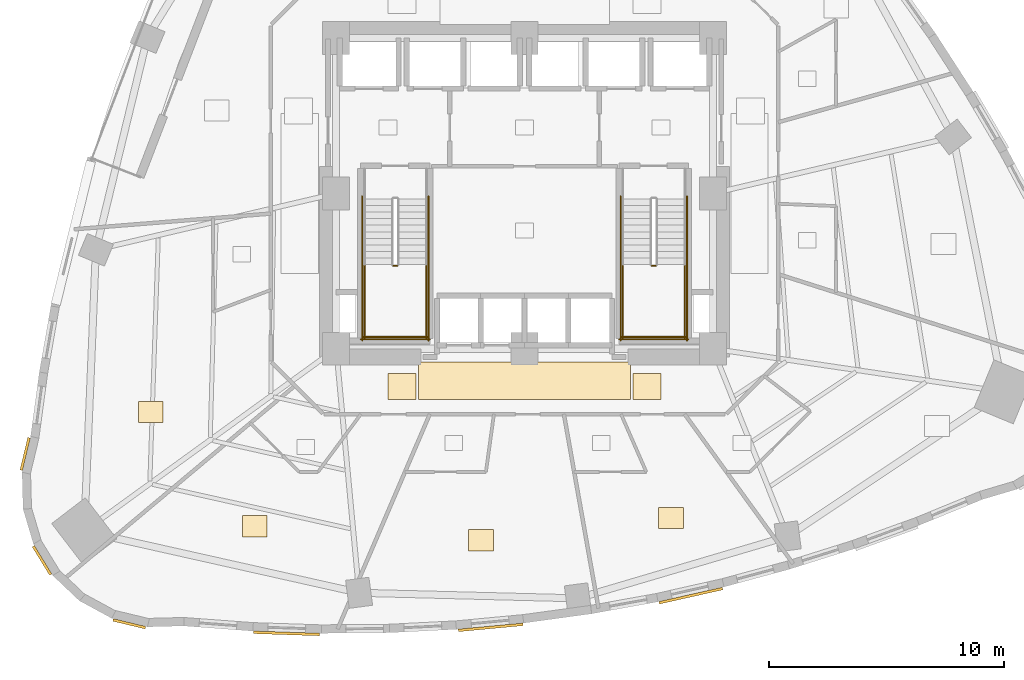
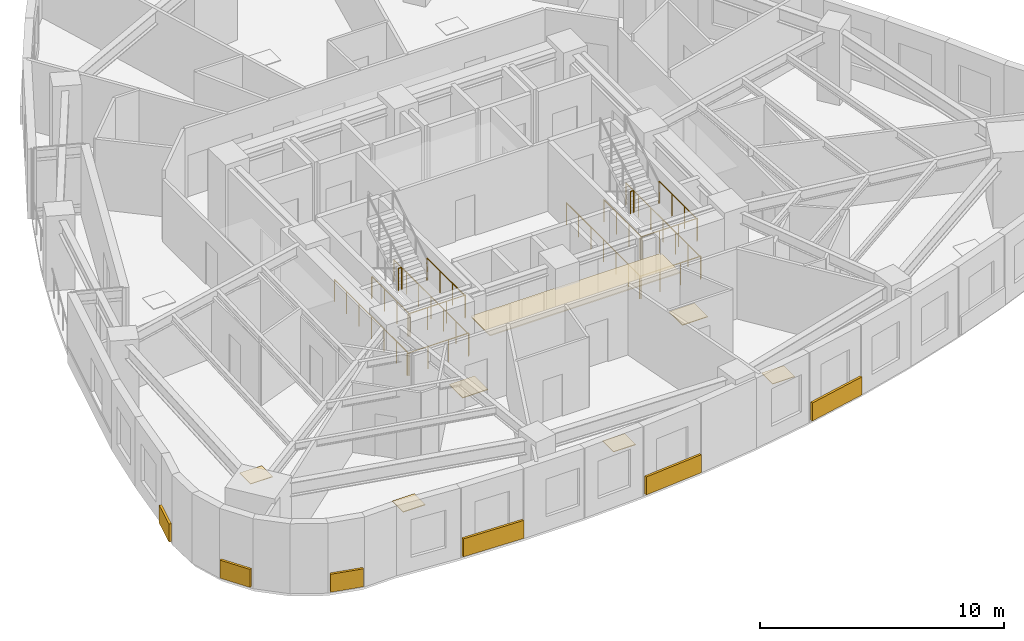
# One storey, part 10 of 12: 14 railings, 13 coverings.
"""IFC4 building model written with IfcOpenShell, lengths in metres."""

from ifc_helpers import new_model, si_unit, direction, frame, origin, origin_2d, place, context, subcontext, project, spatial, rectangle, circle, extrude, material, layer, layer_set, type_object, element, save


model = new_model("IFC4")

# Units and contexts
model_context = context("Model", 3, precision=1e-05, world=origin(), true_north=direction((0.0, 1.0)))
body_context = subcontext(model_context, "Body", "Model", "MODEL_VIEW")
ifc_project = project(units=[si_unit("LENGTHUNIT", "METRE"), si_unit("AREAUNIT", "SQUARE_METRE"), si_unit("VOLUMEUNIT", "CUBIC_METRE"), si_unit("PLANEANGLEUNIT", "RADIAN"), si_unit("MASSUNIT", "GRAM", prefix="KILO")], contexts=[model_context])

# Site, building, storey
site_placement = place(None, origin())
site = spatial("IfcSite", under=ifc_project, at=site_placement, CompositionType="ELEMENT")
building_placement = place(site_placement, origin())
building = spatial("IfcBuilding", under=site, at=building_placement, Name="Ndelora Gate Hotel", CompositionType="ELEMENT")
storey_placement = place(building_placement, frame((0.0, 0.0, 64.25)))
storey = spatial("IfcBuildingStorey", under=building, at=storey_placement, Name="L15", CompositionType="ELEMENT", Elevation=64.25)

# Coverings
ifc_material_1 = material(Name="Perforated Acoustic Gypsum Board", Category="gypsum")
ifc_layer_1 = layer(ifc_material_1, 0.054931640625)
ifc_layer_set_1 = layer_set([ifc_layer_1], Name="Perforated Acoustic Gypsum Board")
covering_type_1 = type_object("IfcCoveringType", Name="COV-CEIL-AC60", PredefinedType="CEILING", material=ifc_layer_set_1)
covering_1_placement = place(storey_placement, frame((0.0, -7.9599609375, 2.65234375), z_axis=(0.0, 0.0, 1.0), x_axis=(1.0, 0.0, 0.0)))
element("IfcCovering", 1, at=covering_1_placement, inside=storey, type_object=covering_type_1, Name="L15 Guest Corridor Acoustic Ceiling S", PredefinedType="CEILING", context=body_context, shape_type="SweptSolid", body=[
    extrude(rectangle(XDim=9.0, YDim=1.580078125, at=origin_2d()), origin(), (0.0, 0.0, 1.0), 0.054931640625),
])
ifc_material_2 = material(Name="Terracotta Fired Clay Brick Slip Cladding", Category="masonry")
ifc_layer_2 = layer(ifc_material_2, 0.110107421875)
ifc_layer_set_2 = layer_set([ifc_layer_2], Name="Terracotta Fired Clay Brick Slip Cladding")
covering_type_2 = type_object("IfcCoveringType", Name="COV-CLAD-BRK", PredefinedType="CLADDING", material=ifc_layer_set_2)
for number, where, z_axis, x_axis, name in (
    (2, (-21.212158203125, -11.068603515625, 0.10009765625), (0.0, 0.0, 1.0), (0.233445363856, 0.972369920398, 0.0), "L15 Rounded-Corner Brick Cladding Band 19"),
    (3, (-20.49560546875, -15.592041015625, 0.10009765625), (0.0, 0.0, 1.0), (-0.522498564716, 0.852640164354, 0.0), "L15 Rounded-Corner Brick Cladding Band 22"),
    (4, (-16.79052734375, -18.283935546875, 0.10009765625), (0.0, 0.0, 1.0), (-0.972369920398, 0.233445363856, 0.0), "L15 Rounded-Corner Brick Cladding Band 25"),
):
    element("IfcCovering", number, at=place(storey_placement, frame(where, z_axis=z_axis, x_axis=x_axis)), inside=storey, type_object=covering_type_2, Name=name, PredefinedType="CLADDING", context=body_context, shape_type="SweptSolid", body=[
        extrude(rectangle(XDim=1.4140625, YDim=0.110107421875, at=origin_2d()), origin(), (0.0, 0.0, 1.0), 0.89990234375),
    ])
covering_2_placement = place(storey_placement, frame((-10.110107421875, -18.692138671875, 0.10009765625), z_axis=(0.0, 0.0, 1.0), x_axis=(-0.99945598739, 0.032980740915, 0.0)))
element("IfcCovering", 5, at=covering_2_placement, inside=storey, type_object=covering_type_2, Name="L15 Rounded-Corner Brick Cladding Band 28", PredefinedType="CLADDING", context=body_context, shape_type="SweptSolid", body=[
    extrude(rectangle(XDim=2.81103515625, YDim=0.110107421875, at=origin_2d()), origin(), (0.0, 0.0, 1.0), 0.89990234375),
])
for number, where, z_axis, x_axis, name in (
    (6, (-1.43701171875, -18.43603515625, 0.10009765625), (0.0, 0.0, 1.0), (0.995676196569, 0.092891934994, 0.0), "L15 Rounded-Corner Brick Cladding Band 31"),
    (7, (7.063720703125, -17.089599609375, 0.10009765625), (0.0, 0.0, 1.0), (0.97564952142, 0.219335385547, 0.0), "L15 Rounded-Corner Brick Cladding Band 34"),
):
    element("IfcCovering", number, at=place(storey_placement, frame(where, z_axis=z_axis, x_axis=x_axis)), inside=storey, type_object=covering_type_2, Name=name, PredefinedType="CLADDING", context=body_context, shape_type="SweptSolid", body=[
        extrude(rectangle(XDim=2.764892578125, YDim=0.110107421875, at=origin_2d()), origin(), (0.0, 0.0, 1.0), 0.89990234375),
    ])
ifc_material_3 = material(Name="Engineered Highland Oak Parquet", Category="wood")
ifc_layer_3 = layer(ifc_material_3, 0.030029296875)
ifc_layer_set_3 = layer_set([ifc_layer_3], Name="Engineered Highland Oak Parquet")
covering_type_3 = type_object("IfcCoveringType", Name="COV-FLR-PARQ", PredefinedType="FLOORING", material=ifc_layer_set_3)
for number, where, z_axis, x_axis, name in (
    (8, (-15.8798828125, -9.28173828125, 0.0), (0.0, 0.0, 1.0), (1.0, 0.0, 0.0), "L15 Superior Double Junior Suite 1801 Oak Parquet Flooring"),
    (9, (-11.46484375, -14.14208984375, 0.0), (0.0, 0.0, 1.0), (1.0, 0.0, 0.0), "L15 Twin Junior Suite 1802 Oak Parquet Flooring"),
    (10, (-1.84521484375, -14.730224609375, 0.0), (0.0, 0.0, 1.0), (1.0, 0.0, 0.0), "L15 Corner Junior Suite 1803 Oak Parquet Flooring"),
    (11, (6.22509765625, -13.789306640625, 0.0), (0.0, 0.0, 1.0), (1.0, 0.0, 0.0), "L15 Executive King Guest Room 1804 Oak Parquet Flooring"),
):
    element("IfcCovering", number, at=place(storey_placement, frame(where, z_axis=z_axis, x_axis=x_axis)), inside=storey, type_object=covering_type_3, Name=name, PredefinedType="FLOORING", context=body_context, shape_type="SweptSolid", body=[
        extrude(rectangle(XDim=1.050048828125, YDim=0.89990234375, at=origin_2d()), origin(), (0.0, 0.0, 1.0), 0.030029296875),
    ])
ifc_material_4 = material(Name="Polished Highland Stone Terrazzo", Category="masonry")
ifc_layer_4 = layer(ifc_material_4, 0.034912109375)
ifc_layer_set_4 = layer_set([ifc_layer_4], Name="Polished Highland Stone Terrazzo")
covering_type_4 = type_object("IfcCoveringType", Name="COV-FLR-TERZ", PredefinedType="FLOORING", material=ifc_layer_set_4)
for number, where, z_axis, x_axis, name in (
    (12, (-5.199951171875, -8.199951171875, 0.0), (0.0, 0.0, 1.0), (1.0, 0.0, 0.0), "L15 Corridor Threshold Terrazzo Inlay SW"),
    (13, (5.199951171875, -8.199951171875, 0.0), (0.0, 0.0, 1.0), (1.0, 0.0, 0.0), "L15 Corridor Threshold Terrazzo Inlay SE"),
):
    element("IfcCovering", number, at=place(storey_placement, frame(where, z_axis=z_axis, x_axis=x_axis)), inside=storey, type_object=covering_type_4, Name=name, PredefinedType="FLOORING", context=body_context, shape_type="SweptSolid", body=[
        extrude(rectangle(XDim=1.199951171875, YDim=1.10009765625, at=origin_2d()), origin(), (0.0, 0.0, 1.0), 0.034912109375),
    ])

# Railings
ifc_material_5 = material(Name="Painted Galvanized Steel Balustrade", Category="steel")
ifc_layer_5 = layer(ifc_material_5, 0.06005859375)
ifc_layer_set_5 = layer_set([ifc_layer_5], Name="Painted Galvanized Steel Balustrade")
railing_type = type_object("IfcRailingType", Name="RL-STAIR-GD", PredefinedType="GUARDRAIL", material=ifc_layer_set_5)
railing_1_placement = place(storey_placement, frame((-5.570068359375, -3.080078125, 1.875)))
element("IfcRailing", 14, at=railing_1_placement, inside=storey, type_object=railing_type, Name="L15 ST4 stair guard 2", PredefinedType="GUARDRAIL", context=body_context, shape_type="SweptSolid", body=[
    extrude(circle(Radius=0.02392578125, at=origin_2d()), frame((0.0, 0.0, 1.10595703125), z_axis=(1.0, 0.0, 0.0), x_axis=(0.0, 1.0, 0.0)), (0.0, 0.0, 1.0), 0.16015625),
    extrude(circle(Radius=0.02099609375, at=origin_2d()), origin(), (0.0, 0.0, 1.0), 1.081787109375),
    extrude(circle(Radius=0.02099609375, at=origin_2d()), frame((0.16015625, 0.0, 0.0)), (0.0, 0.0, 1.0), 1.081787109375),
])
for number, where, name in (
    (15, (-6.800048828125, -3.030029296875, 1.875), "L15 ST4 stair guard 3"),
    (16, (-4.179931640625, -3.030029296875, 1.875), "L15 ST4 stair guard 4"),
):
    element("IfcRailing", number, at=place(storey_placement, frame(where)), inside=storey, type_object=railing_type, Name=name, PredefinedType="GUARDRAIL", context=body_context, shape_type="SweptSolid", body=[
        extrude(circle(Radius=0.02392578125, at=origin_2d()), frame((0.0, 0.0, 1.10595703125), z_axis=(0.0, -1.0, 0.0), x_axis=(1.0, 0.0, 0.0)), (0.0, 0.0, 1.0), 3.119873046875),
        extrude(circle(Radius=0.02099609375, at=origin_2d()), origin(), (0.0, 0.0, 1.0), 1.081787109375),
        extrude(circle(Radius=0.02099609375, at=origin_2d()), frame((0.0, -1.0400390625, 0.0)), (0.0, 0.0, 1.0), 1.081787109375),
        extrude(circle(Radius=0.02099609375, at=origin_2d()), frame((0.0, -2.079833984375, 0.0)), (0.0, 0.0, 1.0), 1.081787109375),
        extrude(circle(Radius=0.02099609375, at=origin_2d()), frame((0.0, -3.119873046875, 0.0)), (0.0, 0.0, 1.0), 1.081787109375),
    ])
railing_2_placement = place(storey_placement, frame((-6.85009765625, -6.10009765625, 1.875)))
element("IfcRailing", 17, at=railing_2_placement, inside=storey, type_object=railing_type, Name="L15 ST4 stair guard 5", PredefinedType="GUARDRAIL", context=body_context, shape_type="SweptSolid", body=[
    extrude(circle(Radius=0.02392578125, at=origin_2d()), frame((0.0, 0.0, 1.10595703125), z_axis=(1.0, 0.0, 0.0), x_axis=(0.0, 1.0, 0.0)), (0.0, 0.0, 1.0), 2.72021484375),
    extrude(circle(Radius=0.02099609375, at=origin_2d()), origin(), (0.0, 0.0, 1.0), 1.081787109375),
    extrude(circle(Radius=0.02099609375, at=origin_2d()), frame((0.90673828125, 0.0, 0.0)), (0.0, 0.0, 1.0), 1.081787109375),
    extrude(circle(Radius=0.02099609375, at=origin_2d()), frame((1.8134765625, 0.0, 0.0)), (0.0, 0.0, 1.0), 1.081787109375),
    extrude(circle(Radius=0.02099609375, at=origin_2d()), frame((2.72021484375, 0.0, 0.0)), (0.0, 0.0, 1.0), 1.081787109375),
])
for number, where, name in (
    (18, (-6.89990234375, -0.1298828125, 0.0), "L15 ST4 stair guard 10"),
    (19, (-4.080078125, -0.1298828125, 0.0), "L15 ST4 stair guard 11"),
):
    element("IfcRailing", number, at=place(storey_placement, frame(where)), inside=storey, type_object=railing_type, Name=name, PredefinedType="GUARDRAIL", context=body_context, shape_type="SweptSolid", body=[
        extrude(circle(Radius=0.02392578125, at=origin_2d()), frame((0.0, 0.0, 1.10595703125), z_axis=(0.0, -1.0, 0.0), x_axis=(1.0, 0.0, 0.0)), (0.0, 0.0, 1.0), 6.1201171875),
        extrude(circle(Radius=0.02099609375, at=origin_2d()), origin(), (0.0, 0.0, 1.0), 1.081787109375),
        extrude(circle(Radius=0.02099609375, at=origin_2d()), frame((0.0, -1.02001953125, 0.0)), (0.0, 0.0, 1.0), 1.081787109375),
        extrude(circle(Radius=0.02099609375, at=origin_2d()), frame((0.0, -2.0400390625, 0.0)), (0.0, 0.0, 1.0), 1.081787109375),
        extrude(circle(Radius=0.02099609375, at=origin_2d()), frame((0.0, -3.06005859375, 0.0)), (0.0, 0.0, 1.0), 1.081787109375),
        extrude(circle(Radius=0.02099609375, at=origin_2d()), frame((0.0, -4.080078125, 0.0)), (0.0, 0.0, 1.0), 1.081787109375),
        extrude(circle(Radius=0.02099609375, at=origin_2d()), frame((0.0, -5.10009765625, 0.0)), (0.0, 0.0, 1.0), 1.081787109375),
        extrude(circle(Radius=0.02099609375, at=origin_2d()), frame((0.0, -6.1201171875, 0.0)), (0.0, 0.0, 1.0), 1.081787109375),
    ])
railing_3_placement = place(storey_placement, frame((-6.949951171875, -6.199951171875, 0.0)))
element("IfcRailing", 20, at=railing_3_placement, inside=storey, type_object=railing_type, Name="L15 ST4 stair guard 12", PredefinedType="GUARDRAIL", context=body_context, shape_type="SweptSolid", body=[
    extrude(circle(Radius=0.02392578125, at=origin_2d()), frame((0.0, 0.0, 1.10595703125), z_axis=(1.0, 0.0, 0.0), x_axis=(0.0, 1.0, 0.0)), (0.0, 0.0, 1.0), 2.919921875),
    extrude(circle(Radius=0.02099609375, at=origin_2d()), origin(), (0.0, 0.0, 1.0), 1.081787109375),
    extrude(circle(Radius=0.02099609375, at=origin_2d()), frame((0.973388671875, 0.0, 0.0)), (0.0, 0.0, 1.0), 1.081787109375),
    extrude(circle(Radius=0.02099609375, at=origin_2d()), frame((1.946533203125, 0.0, 0.0)), (0.0, 0.0, 1.0), 1.081787109375),
    extrude(circle(Radius=0.02099609375, at=origin_2d()), frame((2.919921875, 0.0, 0.0)), (0.0, 0.0, 1.0), 1.081787109375),
])
railing_4_placement = place(storey_placement, frame((5.409912109375, -3.080078125, 1.875)))
element("IfcRailing", 21, at=railing_4_placement, inside=storey, type_object=railing_type, Name="L15 ST5 stair guard 2", PredefinedType="GUARDRAIL", context=body_context, shape_type="SweptSolid", body=[
    extrude(circle(Radius=0.02392578125, at=origin_2d()), frame((0.0, 0.0, 1.10595703125), z_axis=(1.0, 0.0, 0.0), x_axis=(0.0, 1.0, 0.0)), (0.0, 0.0, 1.0), 0.16015625),
    extrude(circle(Radius=0.02099609375, at=origin_2d()), origin(), (0.0, 0.0, 1.0), 1.081787109375),
    extrude(circle(Radius=0.02099609375, at=origin_2d()), frame((0.16015625, 0.0, 0.0)), (0.0, 0.0, 1.0), 1.081787109375),
])
for number, where, name in (
    (22, (4.179931640625, -3.030029296875, 1.875), "L15 ST5 stair guard 3"),
    (23, (6.800048828125, -3.030029296875, 1.875), "L15 ST5 stair guard 4"),
):
    element("IfcRailing", number, at=place(storey_placement, frame(where)), inside=storey, type_object=railing_type, Name=name, PredefinedType="GUARDRAIL", context=body_context, shape_type="SweptSolid", body=[
        extrude(circle(Radius=0.02392578125, at=origin_2d()), frame((0.0, 0.0, 1.10595703125), z_axis=(0.0, -1.0, 0.0), x_axis=(1.0, 0.0, 0.0)), (0.0, 0.0, 1.0), 3.119873046875),
        extrude(circle(Radius=0.02099609375, at=origin_2d()), origin(), (0.0, 0.0, 1.0), 1.081787109375),
        extrude(circle(Radius=0.02099609375, at=origin_2d()), frame((0.0, -1.0400390625, 0.0)), (0.0, 0.0, 1.0), 1.081787109375),
        extrude(circle(Radius=0.02099609375, at=origin_2d()), frame((0.0, -2.079833984375, 0.0)), (0.0, 0.0, 1.0), 1.081787109375),
        extrude(circle(Radius=0.02099609375, at=origin_2d()), frame((0.0, -3.119873046875, 0.0)), (0.0, 0.0, 1.0), 1.081787109375),
    ])
railing_5_placement = place(storey_placement, frame((4.1298828125, -6.10009765625, 1.875)))
element("IfcRailing", 24, at=railing_5_placement, inside=storey, type_object=railing_type, Name="L15 ST5 stair guard 5", PredefinedType="GUARDRAIL", context=body_context, shape_type="SweptSolid", body=[
    extrude(circle(Radius=0.02392578125, at=origin_2d()), frame((0.0, 0.0, 1.10595703125), z_axis=(1.0, 0.0, 0.0), x_axis=(0.0, 1.0, 0.0)), (0.0, 0.0, 1.0), 2.72021484375),
    extrude(circle(Radius=0.02099609375, at=origin_2d()), origin(), (0.0, 0.0, 1.0), 1.081787109375),
    extrude(circle(Radius=0.02099609375, at=origin_2d()), frame((0.90673828125, 0.0, 0.0)), (0.0, 0.0, 1.0), 1.081787109375),
    extrude(circle(Radius=0.02099609375, at=origin_2d()), frame((1.8134765625, 0.0, 0.0)), (0.0, 0.0, 1.0), 1.081787109375),
    extrude(circle(Radius=0.02099609375, at=origin_2d()), frame((2.72021484375, 0.0, 0.0)), (0.0, 0.0, 1.0), 1.081787109375),
])
for number, where, name in (
    (25, (4.080078125, -0.1298828125, 0.0), "L15 ST5 stair guard 10"),
    (26, (6.89990234375, -0.1298828125, 0.0), "L15 ST5 stair guard 11"),
):
    element("IfcRailing", number, at=place(storey_placement, frame(where)), inside=storey, type_object=railing_type, Name=name, PredefinedType="GUARDRAIL", context=body_context, shape_type="SweptSolid", body=[
        extrude(circle(Radius=0.02392578125, at=origin_2d()), frame((0.0, 0.0, 1.10595703125), z_axis=(0.0, -1.0, 0.0), x_axis=(1.0, 0.0, 0.0)), (0.0, 0.0, 1.0), 6.1201171875),
        extrude(circle(Radius=0.02099609375, at=origin_2d()), origin(), (0.0, 0.0, 1.0), 1.081787109375),
        extrude(circle(Radius=0.02099609375, at=origin_2d()), frame((0.0, -1.02001953125, 0.0)), (0.0, 0.0, 1.0), 1.081787109375),
        extrude(circle(Radius=0.02099609375, at=origin_2d()), frame((0.0, -2.0400390625, 0.0)), (0.0, 0.0, 1.0), 1.081787109375),
        extrude(circle(Radius=0.02099609375, at=origin_2d()), frame((0.0, -3.06005859375, 0.0)), (0.0, 0.0, 1.0), 1.081787109375),
        extrude(circle(Radius=0.02099609375, at=origin_2d()), frame((0.0, -4.080078125, 0.0)), (0.0, 0.0, 1.0), 1.081787109375),
        extrude(circle(Radius=0.02099609375, at=origin_2d()), frame((0.0, -5.10009765625, 0.0)), (0.0, 0.0, 1.0), 1.081787109375),
        extrude(circle(Radius=0.02099609375, at=origin_2d()), frame((0.0, -6.1201171875, 0.0)), (0.0, 0.0, 1.0), 1.081787109375),
    ])
railing_6_placement = place(storey_placement, frame((4.030029296875, -6.199951171875, 0.0)))
element("IfcRailing", 27, at=railing_6_placement, inside=storey, type_object=railing_type, Name="L15 ST5 stair guard 12", PredefinedType="GUARDRAIL", context=body_context, shape_type="SweptSolid", body=[
    extrude(circle(Radius=0.02392578125, at=origin_2d()), frame((0.0, 0.0, 1.10595703125), z_axis=(1.0, 0.0, 0.0), x_axis=(0.0, 1.0, 0.0)), (0.0, 0.0, 1.0), 2.919921875),
    extrude(circle(Radius=0.02099609375, at=origin_2d()), origin(), (0.0, 0.0, 1.0), 1.081787109375),
    extrude(circle(Radius=0.02099609375, at=origin_2d()), frame((0.973388671875, 0.0, 0.0)), (0.0, 0.0, 1.0), 1.081787109375),
    extrude(circle(Radius=0.02099609375, at=origin_2d()), frame((1.946533203125, 0.0, 0.0)), (0.0, 0.0, 1.0), 1.081787109375),
    extrude(circle(Radius=0.02099609375, at=origin_2d()), frame((2.919921875, 0.0, 0.0)), (0.0, 0.0, 1.0), 1.081787109375),
])

save(model, "model.ifc")
